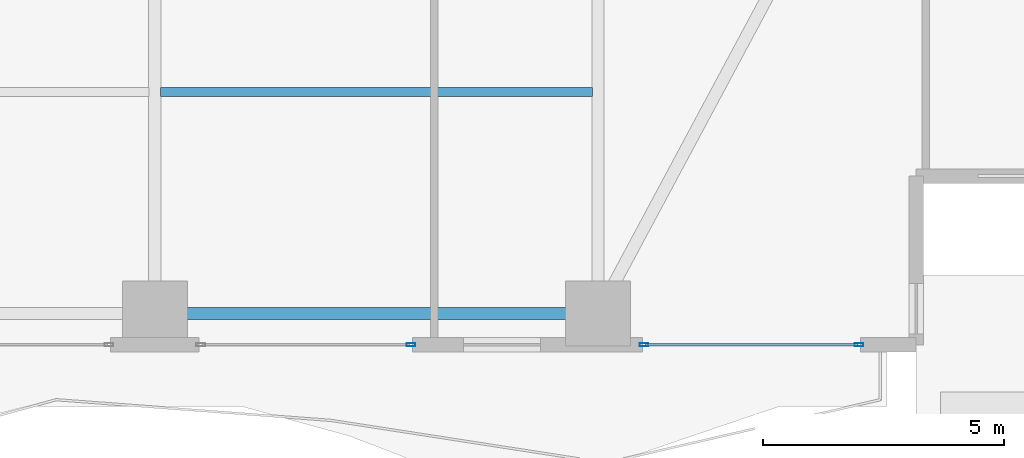
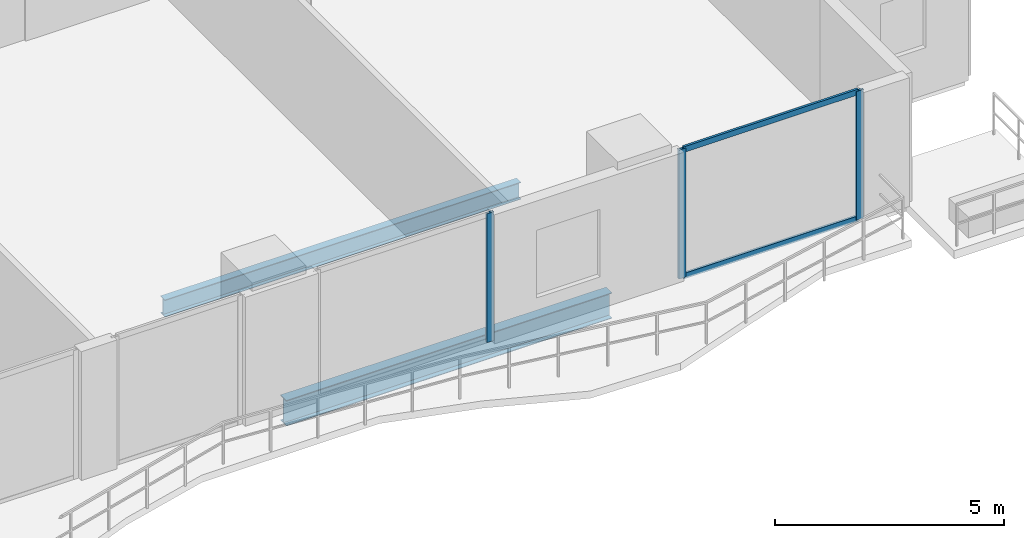
# One storey, part 9 of 30: 5 members, 2 beams, 2 elements without a shape of their own.
"""IFC4 building model written with IfcOpenShell, lengths in metres."""

import ifcopenshell
import ifcopenshell.guid

model = None  # the IFC model being written
_history = None  # IfcOwnerHistory: only IFC2X3 demands one
_inside = {}  # id of a spatial element -> (the spatial element, [elements in it])
_under = {}  # id of a project, library or spatial element -> (it, [spatial elements below it])
_declared = {}  # id of a project -> (the project, [libraries it declares])
_typed = {}  # id of a type object -> (the type object, [elements of that type])
_made_of = {}  # id of a material, layer set ... -> (it, [elements and type objects made of it])


def new_model(schema):
    """Start an empty IFC model of exactly this schema.

    Asked for "IFC4X3", IfcOpenShell would pick the latest addendum, in which some entities
    have other attributes; the version numbers below select the first issue.
    IFC2X3 requires an IfcOwnerHistory on every rooted entity: one is made here for all.
    """
    global model, _history
    if schema == "IFC4X3":
        model = ifcopenshell.file(schema_version=(4, 3, 0, 0))
    else:
        model = ifcopenshell.file(schema=schema)
    _inside.clear()
    _under.clear()
    _declared.clear()
    _typed.clear()
    _made_of.clear()
    _history = None
    if model.schema == "IFC2X3":
        org = make("IfcOrganization", Name="unknown")
        user = make(
            "IfcPersonAndOrganization",
            ThePerson=make("IfcPerson", FamilyName="unknown"),
            TheOrganization=org,
        )
        app = make(
            "IfcApplication",
            ApplicationDeveloper=org,
            Version="unknown",
            ApplicationFullName="unknown",
            ApplicationIdentifier="unknown",
        )
        _history = make(
            "IfcOwnerHistory",
            OwningUser=user,
            OwningApplication=app,
            ChangeAction="ADDED",
            CreationDate=0,
        )
    return model


def make(cls, **values):
    """One entity of the class cls with the attributes given. An attribute that is None is left unset."""
    return model.create_entity(
        cls, **{name: value for name, value in values.items() if value is not None}
    )


def rooted(cls, **values):
    """An entity with a GlobalId (a new one), such as an element, a storey or a relation."""
    return make(cls, GlobalId=ifcopenshell.guid.new(), OwnerHistory=_history, **values)


def si_unit(unit_type, name, prefix=None):
    """IfcSIUnit, for example si_unit("LENGTHUNIT", "METRE", prefix="MILLI")."""
    return make("IfcSIUnit", UnitType=unit_type, Prefix=prefix, Name=name)


def assignment(units):
    """IfcUnitAssignment: the units of a project."""
    return None if units is None else make("IfcUnitAssignment", Units=units)


def point(xyz):
    """IfcCartesianPoint."""
    return None if xyz is None else make("IfcCartesianPoint", Coordinates=xyz)


def direction(xyz):
    """IfcDirection."""
    return None if xyz is None else make("IfcDirection", DirectionRatios=xyz)


def frame(location, z_axis=None, x_axis=None):
    """IfcAxis2Placement3D, a coordinate frame: its origin and axes. An axis left out is left unset."""
    return make(
        "IfcAxis2Placement3D",
        Location=point(location),
        Axis=direction(z_axis),
        RefDirection=direction(x_axis),
    )


def frame_2d(location, x_axis=None):
    """IfcAxis2Placement2D, a coordinate frame in the plane: its origin and x axis."""
    return make(
        "IfcAxis2Placement2D", Location=point(location), RefDirection=direction(x_axis)
    )


def origin():
    """The frame at (0, 0, 0) with its axes left unset."""
    return frame((0.0, 0.0, 0.0))


def origin_2d():
    """The frame at (0, 0) in the plane with its x axis left unset."""
    return frame_2d((0.0, 0.0))


def place(relative_to, where):
    """IfcLocalPlacement: puts the frame where relative to a parent placement (None: the world)."""
    return make(
        "IfcLocalPlacement", PlacementRelTo=relative_to, RelativePlacement=where
    )


def context(
    kind, dimensions, precision=None, world=None, true_north=None, identifier=None
):
    """IfcGeometricRepresentationContext, for example the 3D "Model" context."""
    return make(
        "IfcGeometricRepresentationContext",
        ContextIdentifier=identifier,
        ContextType=kind,
        CoordinateSpaceDimension=dimensions,
        Precision=precision,
        WorldCoordinateSystem=world,
        TrueNorth=true_north,
    )


def subcontext(parent, identifier, kind, view, scale=None):
    """IfcGeometricRepresentationSubContext, for example "Body" below "Model"."""
    return make(
        "IfcGeometricRepresentationSubContext",
        ContextIdentifier=identifier,
        ContextType=kind,
        ParentContext=parent,
        TargetScale=scale,
        TargetView=view,
    )


def project(units=None, contexts=None):
    """IfcProject with its units and contexts."""
    return rooted(
        "IfcProject",
        Name="project",
        RepresentationContexts=contexts,
        UnitsInContext=assignment(units),
    )


def spatial(cls, under=None, at=None, **own):
    """A site, building, storey or space (cls), placed at a placement, below another one or the project."""
    s = rooted(cls, ObjectPlacement=at, **own)
    if under is not None:
        _under.setdefault(under.id(), (under, []))[1].append(s)
    return s


def profile(cls, at=None, kind="AREA", **sizes):
    """A parametric profile (cls). Its sizes go by their IFC names, for example OverallWidth=200.0."""
    return make(cls, ProfileType=kind, Position=at, **sizes)


def hollow_rectangle(**sizes):
    """IfcRectangleHollowProfileDef."""
    return profile("IfcRectangleHollowProfileDef", **sizes)


def i_section(**sizes):
    """IfcIShapeProfileDef."""
    return profile("IfcIShapeProfileDef", **sizes)


def extrude(swept, where, along, depth):
    """IfcExtrudedAreaSolid: the profile swept, set in the frame where, extruded along a direction by depth."""
    return make(
        "IfcExtrudedAreaSolid",
        SweptArea=swept,
        Position=where,
        ExtrudedDirection=direction(along),
        Depth=depth,
    )


def shape(context_of_items, identifier, shape_type, items):
    """IfcShapeRepresentation: the items that make up one representation, for example the "Body"."""
    return make(
        "IfcShapeRepresentation",
        ContextOfItems=context_of_items,
        RepresentationIdentifier=identifier,
        RepresentationType=shape_type,
        Items=items,
    )


def material(Name=None, Category=None):
    """IfcMaterial."""
    return make("IfcMaterial", Name=Name, Category=Category)


def layer(
    of_material, thickness, ventilated=None, Name=None, Category=None, Priority=None
):
    """IfcMaterialLayer: one layer of a wall or slab, of a material (None: an air gap)."""
    return make(
        "IfcMaterialLayer",
        Material=of_material,
        LayerThickness=thickness,
        IsVentilated=ventilated,
        Name=Name,
        Category=Category,
        Priority=Priority,
    )


def layer_set(layers, Name=None):
    """IfcMaterialLayerSet."""
    return make("IfcMaterialLayerSet", MaterialLayers=layers, LayerSetName=Name)


def material_profile(
    of_material, cross_section, Name=None, Category=None, Priority=None
):
    """IfcMaterialProfile: a cross section and its material."""
    return make(
        "IfcMaterialProfile",
        Name=Name,
        Material=of_material,
        Profile=cross_section,
        Priority=Priority,
        Category=Category,
    )


def profile_set(profiles, Name=None, composite=None):
    """IfcMaterialProfileSet."""
    return make(
        "IfcMaterialProfileSet",
        Name=Name,
        MaterialProfiles=profiles,
        CompositeProfile=composite,
    )


def made_of(thing, what):
    """Note that an element or type object is made of a material, layer set ...; save() writes the relation."""
    if what is not None:
        _made_of.setdefault(what.id(), (what, []))[1].append(thing)
    return thing


def type_object(cls, material=None, **own):
    """A type object (cls), such as IfcWallType, which elements share."""
    return made_of(rooted(cls, **own), material)


def element(
    cls,
    number,
    at=None,
    inside=None,
    cuts=None,
    type_object=None,
    material=None,
    context=None,
    identifier="Body",
    shape_type=None,
    held_by="IfcProductDefinitionShape",
    body=None,
    shapes=None,
    **own,
):
    """One element of the class cls, such as IfcWall. Its Tag is "e" and its number.

    at: its placement. inside: the storey or other place that contains it. cuts: it is an
    opening in that element (IfcRelVoidsElement). A single representation is given by context,
    identifier, shape_type and body (its items); several are given by shapes. held_by: the class
    of the entity that holds the representations. save() writes the other relations.
    """
    e = rooted(cls, Tag="e%d" % number, ObjectPlacement=at, **own)
    if body is not None:
        shapes = [shape(context, identifier, shape_type, body)]
    if shapes is not None:
        e.Representation = make(held_by, Representations=shapes)
    if inside is not None:
        _inside.setdefault(inside.id(), (inside, []))[1].append(e)
    if cuts is not None:
        rooted(
            "IfcRelVoidsElement", RelatingBuildingElement=cuts, RelatedOpeningElement=e
        )
    if type_object is not None:
        _typed.setdefault(type_object.id(), (type_object, []))[1].append(e)
    return made_of(e, material)


def aggregate(whole, parts):
    """IfcRelAggregates: a whole, such as a stair, and the parts it consists of."""
    return rooted("IfcRelAggregates", RelatingObject=whole, RelatedObjects=parts)


def save(model, path):
    """Write the relations noted so far, then the file.

    IfcRelAggregates (storeys below a building ...), IfcRelContainedInSpatialStructure (elements
    in a storey), IfcRelDefinesByType, IfcRelAssociatesMaterial and IfcRelDeclares: one each for
    every whole, place, type object, material and project.
    """
    for whole, parts in _under.values():
        aggregate(whole, parts)
    for where, things in _inside.values():
        rooted(
            "IfcRelContainedInSpatialStructure",
            RelatedElements=things,
            RelatingStructure=where,
        )
    for kind, things in _typed.values():
        rooted("IfcRelDefinesByType", RelatedObjects=things, RelatingType=kind)
    for what, things in _made_of.values():
        rooted("IfcRelAssociatesMaterial", RelatedObjects=things, RelatingMaterial=what)
    for by, libraries in _declared.values():
        rooted("IfcRelDeclares", RelatingContext=by, RelatedDefinitions=libraries)
    model.write(path)


model = new_model("IFC4")

# Units and contexts
model_context = context("Model", 3, precision=1e-05, world=origin(), true_north=direction((0.0, 1.0)))
body_context = subcontext(model_context, "Body", "Model", "MODEL_VIEW")
ifc_project = project(units=[si_unit("LENGTHUNIT", "METRE"), si_unit("AREAUNIT", "SQUARE_METRE"), si_unit("VOLUMEUNIT", "CUBIC_METRE"), si_unit("PLANEANGLEUNIT", "RADIAN"), si_unit("MASSUNIT", "GRAM", prefix="KILO")], contexts=[model_context])

# Site, building, storey
site_placement = place(None, origin())
site = spatial("IfcSite", under=ifc_project, at=site_placement, CompositionType="ELEMENT")
building_placement = place(site_placement, origin())
building = spatial("IfcBuilding", under=site, at=building_placement, Name="Zuhayl Quay Hotel", CompositionType="ELEMENT")
storey_placement = place(building_placement, frame((0.0, 0.0, 135.800048828125)))
storey = spatial("IfcBuildingStorey", under=building, at=storey_placement, Name="L34", CompositionType="ELEMENT", Elevation=135.800048828125)

# Beams
ifc_material_1 = material(Name="Steel ASTM A992 Grade 50", Category="steel")
ifc_material_profile_1 = material_profile(ifc_material_1, i_section(OverallWidth=0.25390625, OverallDepth=0.68310546875, WebThickness=0.012451171875, FlangeThickness=0.018798828125, at=origin_2d()), Name="W27X94")
ifc_profile_set_1 = profile_set([ifc_material_profile_1], Name="Steel ASTM A992 Grade 50")
beam_type_1 = type_object("IfcBeamType", Name="BM_B2_W27X94", PredefinedType="BEAM", material=ifc_profile_set_1)
beam_1_placement = place(storey_placement, frame((5.10009765625, -14.75, -0.5615234375), z_axis=(1.0, 0.0, 0.0), x_axis=(0.0, 1.0, 0.0)))
element("IfcBeam", 1, at=beam_1_placement, inside=storey, type_object=beam_type_1, Name="L34 Floor Beam RG_L34_03", PredefinedType="BEAM", context=body_context, shape_type="SweptSolid", body=[
    extrude(i_section(OverallWidth=0.25390625, OverallDepth=0.68310546875, WebThickness=0.012451171875, FlangeThickness=0.018798828125, at=origin_2d()), origin(), (0.0, 0.0, 1.0), 8.199951171875),
])
ifc_material_profile_2 = material_profile(ifc_material_1, i_section(OverallWidth=0.18994140625, OverallDepth=0.45703125, WebThickness=0.009033203125, FlangeThickness=0.014404296875, at=origin_2d()), Name="W18X50")
ifc_profile_set_2 = profile_set([ifc_material_profile_2], Name="Steel ASTM A992 Grade 50")
beam_type_2 = type_object("IfcBeamType", Name="BM_J2_W18X50", PredefinedType="JOIST", material=ifc_profile_set_2)
beam_2_placement = place(storey_placement, frame((4.718994140625, -10.14990234375, -0.448486328125), z_axis=(1.0, 0.0, 0.0), x_axis=(0.0, 1.0, 0.0)))
element("IfcBeam", 2, at=beam_2_placement, inside=storey, type_object=beam_type_2, Name="L34 Floor Beam FJ_L34_5_3", PredefinedType="JOIST", context=body_context, shape_type="SweptSolid", body=[
    extrude(i_section(OverallWidth=0.18994140625, OverallDepth=0.45703125, WebThickness=0.009033203125, FlangeThickness=0.014404296875, at=origin_2d()), origin(), (0.0, 0.0, 1.0), 8.9619140625),
])

# Curtain wall, members
ifc_material_2 = material(Name="Anodised Aluminium 6063-T6", Category="aluminium")
ifc_layer = layer(ifc_material_2, 0.179931640625, Name="Anodised Aluminium 6063-T6", Category="aluminium")
ifc_layer_set = layer_set([ifc_layer], Name="Anodised Aluminium 6063-T6")
curtain_wall_type = type_object("IfcCurtainWallType", Name="CW_SYS_Z2", PredefinedType="USERDEFINED", material=ifc_layer_set)
curtain_wall_1_placement = place(storey_placement, origin())
curtain_wall_1 = element("IfcCurtainWall", 3, at=curtain_wall_1_placement, inside=storey, type_object=curtain_wall_type, Name="L34 Curtain Wall ENV_L34_S_CW1", ObjectType="UNITISED CURTAIN WALL", PredefinedType="USERDEFINED")
ifc_material_3 = material(Name="Black-anodised aluminium 6063-T6", Category="aluminium")
ifc_material_profile_3 = material_profile(ifc_material_3, hollow_rectangle(XDim=0.06494140625, YDim=0.179931640625, WallThickness=0.00341796875, at=origin_2d()), Name="ALU180X65")
ifc_profile_set_3 = profile_set([ifc_material_profile_3], Name="Black-anodised aluminium 6063-T6")
member_type_1 = type_object("IfcMemberType", Name="MB_CW_MUL_180", PredefinedType="MULLION", material=ifc_profile_set_3)
member_1_placement = place(storey_placement, frame((19.217529296875, -15.39990234375, 0.0), z_axis=(0.0, 0.0, 1.0), x_axis=(0.0, -1.0, 0.0)))
member_1 = element("IfcMember", 4, at=member_1_placement, type_object=member_type_1, Name="CW-Z2 mullion 1", PredefinedType="MULLION", context=body_context, shape_type="SweptSolid", body=[
    extrude(hollow_rectangle(XDim=0.06494140625, YDim=0.179931640625, WallThickness=0.00341796875, at=origin_2d()), origin(), (0.0, 0.0, 1.0), 3.429931640625),
])
member_2_placement = place(storey_placement, frame((14.75244140625, -15.39990234375, 0.0), z_axis=(0.0, 0.0, 1.0), x_axis=(0.0, -1.0, 0.0)))
member_2 = element("IfcMember", 5, at=member_2_placement, type_object=member_type_1, Name="CW-Z2 mullion 2", PredefinedType="MULLION", context=body_context, shape_type="SweptSolid", body=[
    extrude(hollow_rectangle(XDim=0.06494140625, YDim=0.179931640625, WallThickness=0.00341796875, at=origin_2d()), origin(), (0.0, 0.0, 1.0), 3.429931640625),
])

# Curtain wall, member
curtain_wall_2_placement = place(storey_placement, origin())
curtain_wall_2 = element("IfcCurtainWall", 6, at=curtain_wall_2_placement, inside=storey, type_object=curtain_wall_type, Name="L34 Curtain Wall ENV_L34_S_CW2", ObjectType="UNITISED CURTAIN WALL", PredefinedType="USERDEFINED")
member_3_placement = place(storey_placement, frame((9.91748046875, -15.39990234375, 0.0), z_axis=(0.0, 0.0, 1.0), x_axis=(0.0, -1.0, 0.0)))
member_3 = element("IfcMember", 7, at=member_3_placement, type_object=member_type_1, Name="CW-Z2 mullion 1", PredefinedType="MULLION", context=body_context, shape_type="SweptSolid", body=[
    extrude(hollow_rectangle(XDim=0.06494140625, YDim=0.179931640625, WallThickness=0.00341796875, at=origin_2d()), origin(), (0.0, 0.0, 1.0), 3.429931640625),
])
aggregate(curtain_wall_2, [member_3])

# Member
ifc_material_profile_4 = material_profile(ifc_material_3, hollow_rectangle(XDim=0.06005859375, YDim=0.14990234375, WallThickness=0.00341796875, at=origin_2d()), Name="ALU150X60")
ifc_profile_set_4 = profile_set([ifc_material_profile_4], Name="Black-anodised aluminium 6063-T6")
member_type_2 = type_object("IfcMemberType", Name="MB_CW_TRN_150", PredefinedType="USERDEFINED", material=ifc_profile_set_4)
member_4_placement = place(storey_placement, frame((19.18505859375, -15.39990234375, 0.030029296875), z_axis=(-1.0, 0.0, 0.0), x_axis=(0.0, -1.0, 0.0)))
member_4 = element("IfcMember", 8, at=member_4_placement, type_object=member_type_2, Name="CW-Z2 transom 1.1", ObjectType="TRANSOM", PredefinedType="USERDEFINED", context=body_context, shape_type="SweptSolid", body=[
    extrude(hollow_rectangle(XDim=0.06005859375, YDim=0.14990234375, WallThickness=0.00341796875, at=origin_2d()), origin(), (0.0, 0.0, 1.0), 4.400146484375),
])

member_5_placement = place(storey_placement, frame((19.18505859375, -15.39990234375, 3.39990234375), z_axis=(-1.0, 0.0, 0.0), x_axis=(0.0, -1.0, 0.0)))
member_5 = element("IfcMember", 9, at=member_5_placement, type_object=member_type_2, Name="CW-Z2 transom 1.2", ObjectType="TRANSOM", PredefinedType="USERDEFINED", context=body_context, shape_type="SweptSolid", body=[
    extrude(hollow_rectangle(XDim=0.06005859375, YDim=0.14990234375, WallThickness=0.00341796875, at=origin_2d()), origin(), (0.0, 0.0, 1.0), 4.400146484375),
])

aggregate(curtain_wall_1, [member_1, member_2, member_4, member_5])

save(model, "model.ifc")
